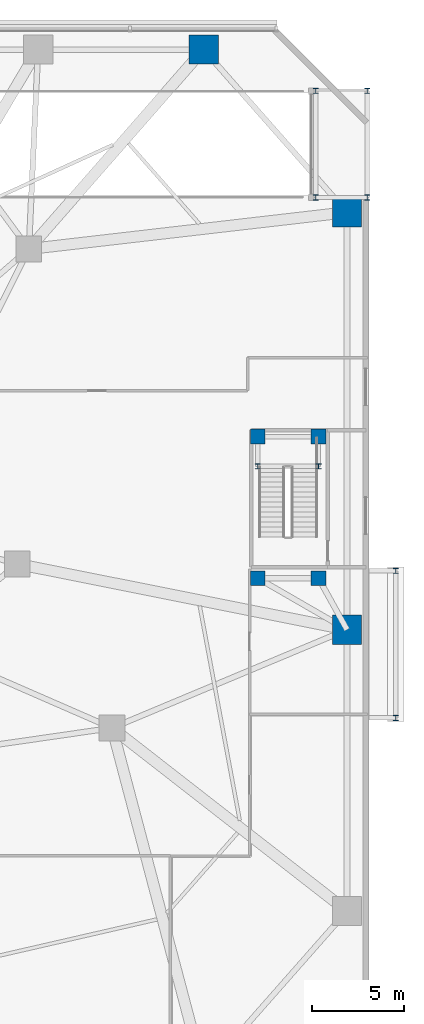
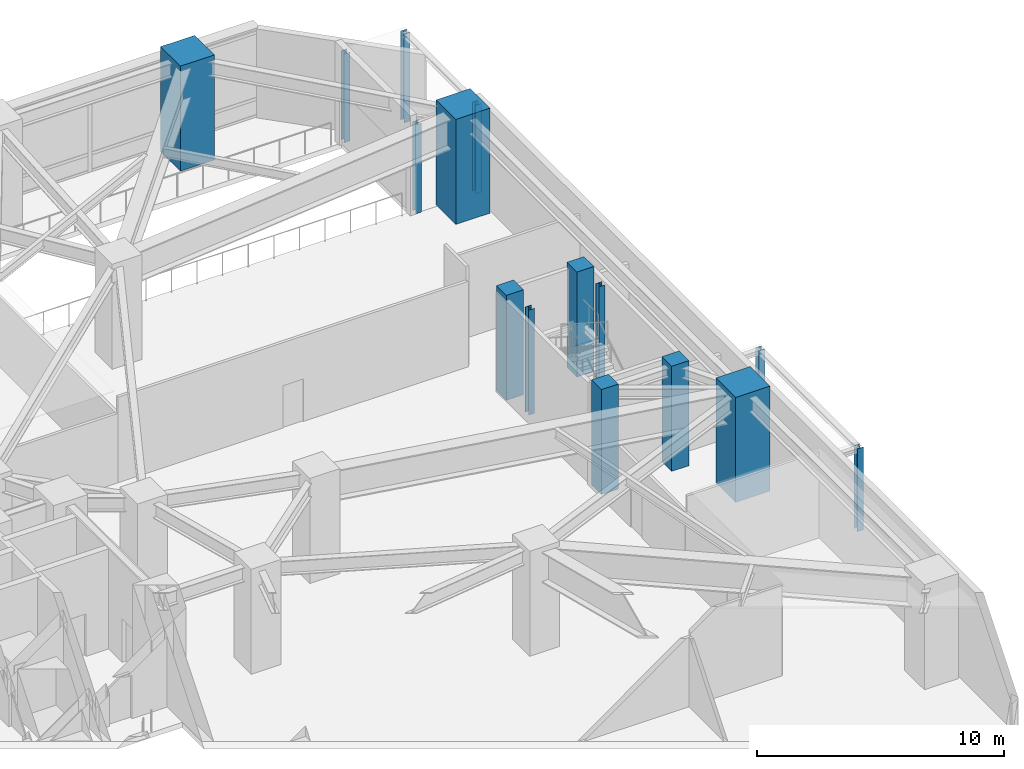
# One storey, part 7 of 30: 15 columns.
"""IFC4 building model written with IfcOpenShell, lengths in metres."""

import ifcopenshell
import ifcopenshell.guid

model = None  # the IFC model being written
_history = None  # IfcOwnerHistory: only IFC2X3 demands one
_inside = {}  # id of a spatial element -> (the spatial element, [elements in it])
_under = {}  # id of a project, library or spatial element -> (it, [spatial elements below it])
_declared = {}  # id of a project -> (the project, [libraries it declares])
_typed = {}  # id of a type object -> (the type object, [elements of that type])
_made_of = {}  # id of a material, layer set ... -> (it, [elements and type objects made of it])


def new_model(schema):
    """Start an empty IFC model of exactly this schema.

    Asked for "IFC4X3", IfcOpenShell would pick the latest addendum, in which some entities
    have other attributes; the version numbers below select the first issue.
    IFC2X3 requires an IfcOwnerHistory on every rooted entity: one is made here for all.
    """
    global model, _history
    if schema == "IFC4X3":
        model = ifcopenshell.file(schema_version=(4, 3, 0, 0))
    else:
        model = ifcopenshell.file(schema=schema)
    _inside.clear()
    _under.clear()
    _declared.clear()
    _typed.clear()
    _made_of.clear()
    _history = None
    if model.schema == "IFC2X3":
        org = make("IfcOrganization", Name="unknown")
        user = make(
            "IfcPersonAndOrganization",
            ThePerson=make("IfcPerson", FamilyName="unknown"),
            TheOrganization=org,
        )
        app = make(
            "IfcApplication",
            ApplicationDeveloper=org,
            Version="unknown",
            ApplicationFullName="unknown",
            ApplicationIdentifier="unknown",
        )
        _history = make(
            "IfcOwnerHistory",
            OwningUser=user,
            OwningApplication=app,
            ChangeAction="ADDED",
            CreationDate=0,
        )
    return model


def make(cls, **values):
    """One entity of the class cls with the attributes given. An attribute that is None is left unset."""
    return model.create_entity(
        cls, **{name: value for name, value in values.items() if value is not None}
    )


def rooted(cls, **values):
    """An entity with a GlobalId (a new one), such as an element, a storey or a relation."""
    return make(cls, GlobalId=ifcopenshell.guid.new(), OwnerHistory=_history, **values)


def si_unit(unit_type, name, prefix=None):
    """IfcSIUnit, for example si_unit("LENGTHUNIT", "METRE", prefix="MILLI")."""
    return make("IfcSIUnit", UnitType=unit_type, Prefix=prefix, Name=name)


def assignment(units):
    """IfcUnitAssignment: the units of a project."""
    return None if units is None else make("IfcUnitAssignment", Units=units)


def point(xyz):
    """IfcCartesianPoint."""
    return None if xyz is None else make("IfcCartesianPoint", Coordinates=xyz)


def direction(xyz):
    """IfcDirection."""
    return None if xyz is None else make("IfcDirection", DirectionRatios=xyz)


def frame(location, z_axis=None, x_axis=None):
    """IfcAxis2Placement3D, a coordinate frame: its origin and axes. An axis left out is left unset."""
    return make(
        "IfcAxis2Placement3D",
        Location=point(location),
        Axis=direction(z_axis),
        RefDirection=direction(x_axis),
    )


def frame_2d(location, x_axis=None):
    """IfcAxis2Placement2D, a coordinate frame in the plane: its origin and x axis."""
    return make(
        "IfcAxis2Placement2D", Location=point(location), RefDirection=direction(x_axis)
    )


def origin():
    """The frame at (0, 0, 0) with its axes left unset."""
    return frame((0.0, 0.0, 0.0))


def origin_2d():
    """The frame at (0, 0) in the plane with its x axis left unset."""
    return frame_2d((0.0, 0.0))


def place(relative_to, where):
    """IfcLocalPlacement: puts the frame where relative to a parent placement (None: the world)."""
    return make(
        "IfcLocalPlacement", PlacementRelTo=relative_to, RelativePlacement=where
    )


def context(
    kind, dimensions, precision=None, world=None, true_north=None, identifier=None
):
    """IfcGeometricRepresentationContext, for example the 3D "Model" context."""
    return make(
        "IfcGeometricRepresentationContext",
        ContextIdentifier=identifier,
        ContextType=kind,
        CoordinateSpaceDimension=dimensions,
        Precision=precision,
        WorldCoordinateSystem=world,
        TrueNorth=true_north,
    )


def subcontext(parent, identifier, kind, view, scale=None):
    """IfcGeometricRepresentationSubContext, for example "Body" below "Model"."""
    return make(
        "IfcGeometricRepresentationSubContext",
        ContextIdentifier=identifier,
        ContextType=kind,
        ParentContext=parent,
        TargetScale=scale,
        TargetView=view,
    )


def project(units=None, contexts=None):
    """IfcProject with its units and contexts."""
    return rooted(
        "IfcProject",
        Name="project",
        RepresentationContexts=contexts,
        UnitsInContext=assignment(units),
    )


def spatial(cls, under=None, at=None, **own):
    """A site, building, storey or space (cls), placed at a placement, below another one or the project."""
    s = rooted(cls, ObjectPlacement=at, **own)
    if under is not None:
        _under.setdefault(under.id(), (under, []))[1].append(s)
    return s


def profile(cls, at=None, kind="AREA", **sizes):
    """A parametric profile (cls). Its sizes go by their IFC names, for example OverallWidth=200.0."""
    return make(cls, ProfileType=kind, Position=at, **sizes)


def rectangle(**sizes):
    """IfcRectangleProfileDef."""
    return profile("IfcRectangleProfileDef", **sizes)


def i_section(**sizes):
    """IfcIShapeProfileDef."""
    return profile("IfcIShapeProfileDef", **sizes)


def extrude(swept, where, along, depth):
    """IfcExtrudedAreaSolid: the profile swept, set in the frame where, extruded along a direction by depth."""
    return make(
        "IfcExtrudedAreaSolid",
        SweptArea=swept,
        Position=where,
        ExtrudedDirection=direction(along),
        Depth=depth,
    )


def shape(context_of_items, identifier, shape_type, items):
    """IfcShapeRepresentation: the items that make up one representation, for example the "Body"."""
    return make(
        "IfcShapeRepresentation",
        ContextOfItems=context_of_items,
        RepresentationIdentifier=identifier,
        RepresentationType=shape_type,
        Items=items,
    )


def material(Name=None, Category=None):
    """IfcMaterial."""
    return make("IfcMaterial", Name=Name, Category=Category)


def material_profile(
    of_material, cross_section, Name=None, Category=None, Priority=None
):
    """IfcMaterialProfile: a cross section and its material."""
    return make(
        "IfcMaterialProfile",
        Name=Name,
        Material=of_material,
        Profile=cross_section,
        Priority=Priority,
        Category=Category,
    )


def profile_set(profiles, Name=None, composite=None):
    """IfcMaterialProfileSet."""
    return make(
        "IfcMaterialProfileSet",
        Name=Name,
        MaterialProfiles=profiles,
        CompositeProfile=composite,
    )


def made_of(thing, what):
    """Note that an element or type object is made of a material, layer set ...; save() writes the relation."""
    if what is not None:
        _made_of.setdefault(what.id(), (what, []))[1].append(thing)
    return thing


def type_object(cls, material=None, **own):
    """A type object (cls), such as IfcWallType, which elements share."""
    return made_of(rooted(cls, **own), material)


def element(
    cls,
    number,
    at=None,
    inside=None,
    cuts=None,
    type_object=None,
    material=None,
    context=None,
    identifier="Body",
    shape_type=None,
    held_by="IfcProductDefinitionShape",
    body=None,
    shapes=None,
    **own,
):
    """One element of the class cls, such as IfcWall. Its Tag is "e" and its number.

    at: its placement. inside: the storey or other place that contains it. cuts: it is an
    opening in that element (IfcRelVoidsElement). A single representation is given by context,
    identifier, shape_type and body (its items); several are given by shapes. held_by: the class
    of the entity that holds the representations. save() writes the other relations.
    """
    e = rooted(cls, Tag="e%d" % number, ObjectPlacement=at, **own)
    if body is not None:
        shapes = [shape(context, identifier, shape_type, body)]
    if shapes is not None:
        e.Representation = make(held_by, Representations=shapes)
    if inside is not None:
        _inside.setdefault(inside.id(), (inside, []))[1].append(e)
    if cuts is not None:
        rooted(
            "IfcRelVoidsElement", RelatingBuildingElement=cuts, RelatedOpeningElement=e
        )
    if type_object is not None:
        _typed.setdefault(type_object.id(), (type_object, []))[1].append(e)
    return made_of(e, material)


def aggregate(whole, parts):
    """IfcRelAggregates: a whole, such as a stair, and the parts it consists of."""
    return rooted("IfcRelAggregates", RelatingObject=whole, RelatedObjects=parts)


def save(model, path):
    """Write the relations noted so far, then the file.

    IfcRelAggregates (storeys below a building ...), IfcRelContainedInSpatialStructure (elements
    in a storey), IfcRelDefinesByType, IfcRelAssociatesMaterial and IfcRelDeclares: one each for
    every whole, place, type object, material and project.
    """
    for whole, parts in _under.values():
        aggregate(whole, parts)
    for where, things in _inside.values():
        rooted(
            "IfcRelContainedInSpatialStructure",
            RelatedElements=things,
            RelatingStructure=where,
        )
    for kind, things in _typed.values():
        rooted("IfcRelDefinesByType", RelatedObjects=things, RelatingType=kind)
    for what, things in _made_of.values():
        rooted("IfcRelAssociatesMaterial", RelatedObjects=things, RelatingMaterial=what)
    for by, libraries in _declared.values():
        rooted("IfcRelDeclares", RelatingContext=by, RelatedDefinitions=libraries)
    model.write(path)


model = new_model("IFC4")

# Units and contexts
model_context = context("Model", 3, precision=1e-05, world=origin(), true_north=direction((0.0, 1.0)))
body_context = subcontext(model_context, "Body", "Model", "MODEL_VIEW")
ifc_project = project(units=[si_unit("LENGTHUNIT", "METRE"), si_unit("AREAUNIT", "SQUARE_METRE"), si_unit("VOLUMEUNIT", "CUBIC_METRE"), si_unit("PLANEANGLEUNIT", "RADIAN"), si_unit("MASSUNIT", "GRAM", prefix="KILO")], contexts=[model_context])

# Site, building, storey
site_placement = place(None, origin())
site = spatial("IfcSite", under=ifc_project, at=site_placement, CompositionType="ELEMENT")
building_placement = place(site_placement, origin())
building = spatial("IfcBuilding", under=site, at=building_placement, Name="Terralouvre Media Tower", CompositionType="ELEMENT")
storey_placement = place(building_placement, origin())
storey = spatial("IfcBuildingStorey", under=building, at=storey_placement, Name="L00", CompositionType="ELEMENT", Elevation=0.0)

# Columns
ifc_material_1 = material(Name="Structural steel S355J2", Category="steel")
ifc_material_profile_1 = material_profile(ifc_material_1, i_section(OverallWidth=0.280029296875, OverallDepth=0.280029296875, WebThickness=0.010498046875, FlangeThickness=0.01806640625, at=origin_2d()), Name="HEB 280")
ifc_profile_set_1 = profile_set([ifc_material_profile_1], Name="Structural steel S355J2")
column_type_1 = type_object("IfcColumnType", Name="Basement Aisle Pilaster PL-HEB280 (HEB 280)", PredefinedType="PILASTER", material=ifc_profile_set_1)
for number, where, z_axis, x_axis, name in (
    (1, (30.949951171875, 9.679931640625, 0.0), (0.0, 0.0, 1.0), (1.0, 0.0, 0.0), "L00 Stair Half-Landing Post ST4CLP1"),
    (2, (34.25, 9.679931640625, 0.0), (0.0, 0.0, 1.0), (1.0, 0.0, 0.0), "L00 Stair Half-Landing Post ST4CLP2"),
):
    element("IfcColumn", number, at=place(storey_placement, frame(where, z_axis=z_axis, x_axis=x_axis)), inside=storey, type_object=column_type_1, Name=name, PredefinedType="PILASTER", context=body_context, shape_type="SweptSolid", body=[
        extrude(i_section(OverallWidth=0.280029296875, OverallDepth=0.280029296875, WebThickness=0.010498046875, FlangeThickness=0.01806640625, at=origin_2d()), origin(), (0.0, 0.0, 1.0), 5.199951171875),
    ])
for number, where, z_axis, x_axis, name in (
    (3, (38.449951171875, -4.0, -0.10009765625), (0.0, 0.0, 1.0), (1.0, 0.0, 0.0), "L00 Canopy Support Post CANE1-1"),
    (4, (38.449951171875, 4.0, -0.10009765625), (0.0, 0.0, 1.0), (1.0, 0.0, 0.0), "L00 Canopy Support Post CANE1-2"),
):
    element("IfcColumn", number, at=place(storey_placement, frame(where, z_axis=z_axis, x_axis=x_axis)), inside=storey, type_object=column_type_1, Name=name, PredefinedType="PILASTER", context=body_context, shape_type="SweptSolid", body=[
        extrude(i_section(OverallWidth=0.280029296875, OverallDepth=0.280029296875, WebThickness=0.010498046875, FlangeThickness=0.01806640625, at=origin_2d()), origin(), (0.0, 0.0, 1.0), 4.10009765625),
    ])
for number, where, z_axis, x_axis, name in (
    (5, (34.10009765625, 24.300048828125, 0.0), (0.0, 0.0, 1.0), (1.0, 0.0, 0.0), "L00 Canopy Support Post CANDK-1"),
    (6, (36.89990234375, 24.300048828125, 0.0), (0.0, 0.0, 1.0), (1.0, 0.0, 0.0), "L00 Canopy Support Post CANDK-2"),
    (7, (34.10009765625, 30.10009765625, 0.0), (0.0, 0.0, 1.0), (1.0, 0.0, 0.0), "L00 Canopy Support Post CANDK-3"),
    (8, (36.89990234375, 30.10009765625, 0.0), (0.0, 0.0, 1.0), (1.0, 0.0, 0.0), "L00 Canopy Support Post CANDK-4"),
):
    element("IfcColumn", number, at=place(storey_placement, frame(where, z_axis=z_axis, x_axis=x_axis)), inside=storey, type_object=column_type_1, Name=name, PredefinedType="PILASTER", context=body_context, shape_type="SweptSolid", body=[
        extrude(i_section(OverallWidth=0.280029296875, OverallDepth=0.280029296875, WebThickness=0.010498046875, FlangeThickness=0.01806640625, at=origin_2d()), origin(), (0.0, 0.0, 1.0), 4.39990234375),
    ])
ifc_material_2 = material(Name="Concrete C60/75", Category="concrete")
ifc_material_profile_2 = material_profile(ifc_material_2, rectangle(XDim=1.60009765625, YDim=1.60009765625, at=origin_2d()), Name="RC 1600x1600")
ifc_profile_set_2 = profile_set([ifc_material_profile_2], Name="Concrete C60/75")
column_type_2 = type_object("IfcColumnType", Name="Structural Column C-RC1600 (RC 1600x1600)", PredefinedType="COLUMN", material=ifc_profile_set_2)
for number, where, z_axis, x_axis, name in (
    (9, (35.800048828125, 0.800048828125, 0.0), (0.0, 0.0, 1.0), (1.0, 0.0, 0.0), "L00 Perimeter Mega-Column PM08"),
    (10, (35.800048828125, 23.5, 0.0), (0.0, 0.0, 1.0), (1.0, 0.0, 0.0), "L00 Perimeter Mega-Column PM09"),
    (11, (28.0, 32.35009765625, 0.0), (0.0, 0.0, 1.0), (1.0, 0.0, 0.0), "L00 Perimeter Mega-Column PM10"),
):
    element("IfcColumn", number, at=place(storey_placement, frame(where, z_axis=z_axis, x_axis=x_axis)), inside=storey, type_object=column_type_2, Name=name, PredefinedType="COLUMN", context=body_context, shape_type="SweptSolid", body=[
        extrude(rectangle(XDim=1.60009765625, YDim=1.60009765625, at=origin_2d()), origin(), (0.0, 0.0, 1.0), 5.199951171875),
    ])
ifc_material_3 = material(Name="Concrete C50/60", Category="concrete")
ifc_material_profile_3 = material_profile(ifc_material_3, rectangle(XDim=0.800048828125, YDim=0.800048828125, at=origin_2d()), Name="RC 800x800")
ifc_profile_set_3 = profile_set([ifc_material_profile_3], Name="Concrete C50/60")
column_type_3 = type_object("IfcColumnType", Name="Structural Column C-RC800 (RC 800x800)", PredefinedType="COLUMN", material=ifc_profile_set_3)
for number, where, z_axis, x_axis, name in (
    (12, (30.949951171875, 3.60009765625, 0.0), (0.0, 0.0, 1.0), (1.0, 0.0, 0.0), "L00 Stair Pavilion Support Column ST4C1"),
    (13, (34.25, 3.60009765625, 0.0), (0.0, 0.0, 1.0), (1.0, 0.0, 0.0), "L00 Stair Pavilion Support Column ST4C2"),
    (14, (34.25, 11.300048828125, 0.0), (0.0, 0.0, 1.0), (1.0, 0.0, 0.0), "L00 Stair Pavilion Support Column ST4C3"),
    (15, (30.949951171875, 11.300048828125, 0.0), (0.0, 0.0, 1.0), (1.0, 0.0, 0.0), "L00 Stair Pavilion Support Column ST4C4"),
):
    element("IfcColumn", number, at=place(storey_placement, frame(where, z_axis=z_axis, x_axis=x_axis)), inside=storey, type_object=column_type_3, Name=name, PredefinedType="COLUMN", context=body_context, shape_type="SweptSolid", body=[
        extrude(rectangle(XDim=0.800048828125, YDim=0.800048828125, at=origin_2d()), origin(), (0.0, 0.0, 1.0), 5.199951171875),
    ])

save(model, "model.ifc")
